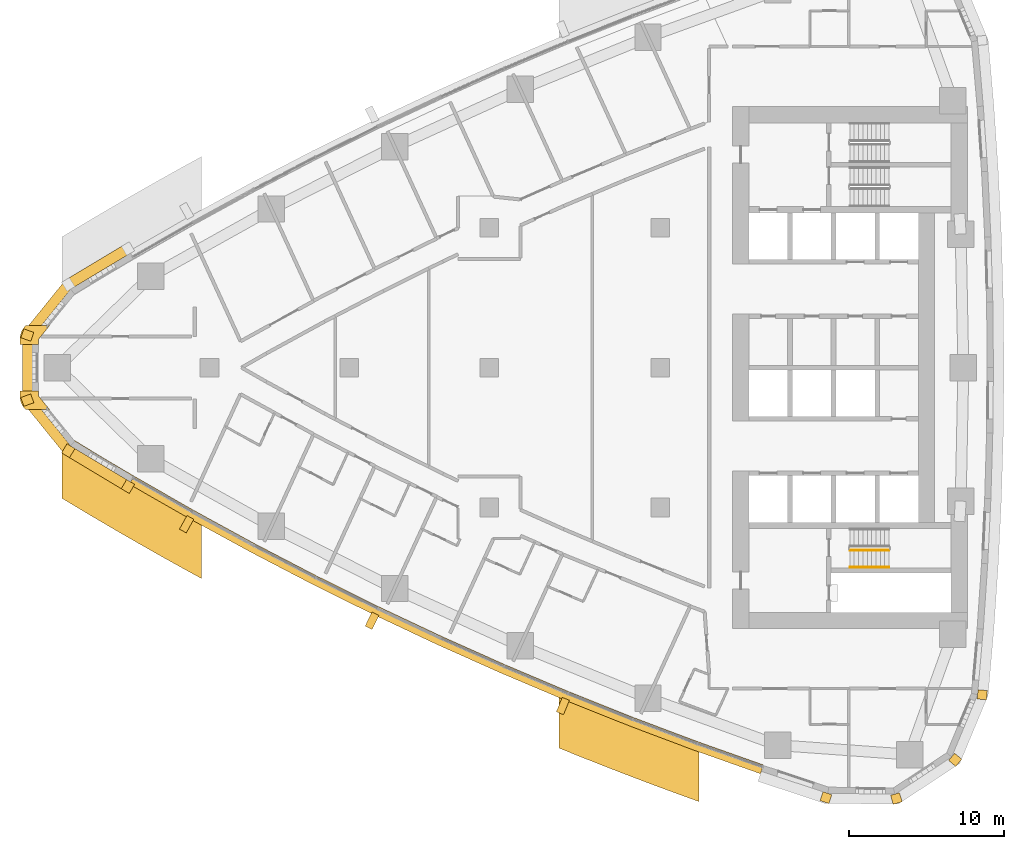
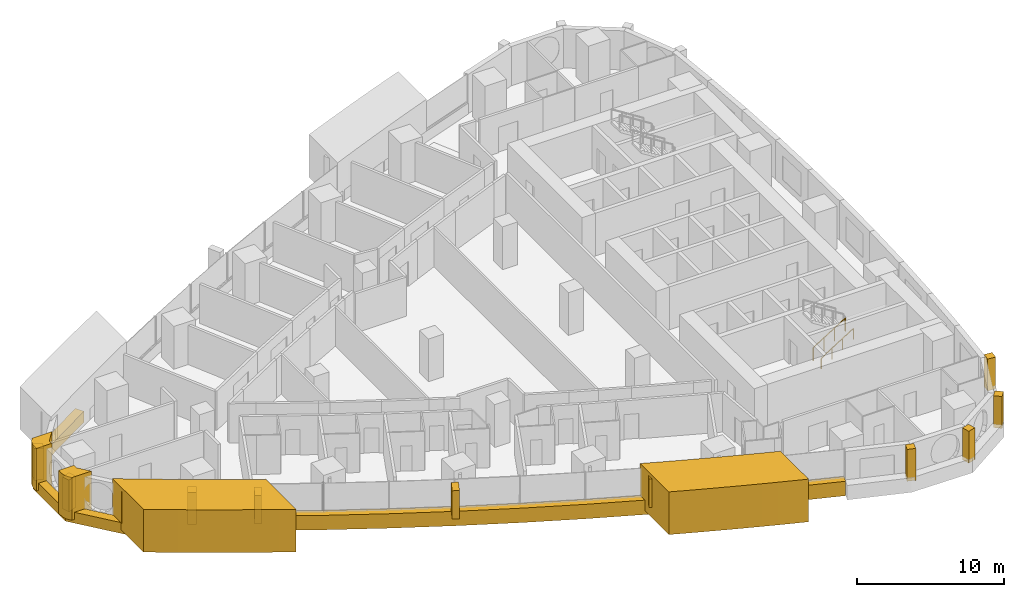
# One storey, part 14 of 17: 17 coverings, 2 railings.
"""IFC4 building model written with IfcOpenShell, lengths in metres."""

from ifc_helpers import new_model, si_unit, direction, frame, frame_2d, origin, origin_2d, place, context, subcontext, project, spatial, polyline, rectangle, circle, outline, extrude, material, layer, layer_set, type_object, element, save


model = new_model("IFC4")

# Units and contexts
model_context = context("Model", 3, precision=1e-05, world=origin(), true_north=direction((0.0, 1.0)))
body_context = subcontext(model_context, "Body", "Model", "MODEL_VIEW")
ifc_project = project(units=[si_unit("LENGTHUNIT", "METRE"), si_unit("AREAUNIT", "SQUARE_METRE"), si_unit("VOLUMEUNIT", "CUBIC_METRE"), si_unit("PLANEANGLEUNIT", "RADIAN"), si_unit("MASSUNIT", "GRAM", prefix="KILO")], contexts=[model_context])

# Site, building, storey
site_placement = place(None, origin())
site = spatial("IfcSite", under=ifc_project, at=site_placement, CompositionType="ELEMENT")
building_placement = place(site_placement, origin())
building = spatial("IfcBuilding", under=site, at=building_placement, Name="Ostrand Prow Hotel Tower", CompositionType="ELEMENT")
storey_placement = place(building_placement, frame((0.0, 0.0, 88.449951171875)))
storey = spatial("IfcBuildingStorey", under=building, at=storey_placement, Name="L20", CompositionType="ELEMENT", Elevation=88.449951171875)

# Coverings
ifc_material_1 = material(Name="Bronze anodised aluminium cladding", Category="aluminium")
ifc_layer_1 = layer(ifc_material_1, 0.60009765625)
ifc_layer_set_1 = layer_set([ifc_layer_1], Name="Bronze anodised aluminium cladding")
covering_type_1 = type_object("IfcCoveringType", Name="Bronze prow band 899x600", PredefinedType="CLADDING", material=ifc_layer_set_1)
covering_1_placement = place(storey_placement, frame((0.0, 0.0, -0.300048828125)))
element("IfcCovering", 1, at=covering_1_placement, inside=storey, type_object=covering_type_1, Name="Bronze prow band", PredefinedType="CLADDING", context=body_context, shape_type="SweptSolid", body=[
    extrude(outline(polyline([(10.580810546875, 7.9453125), (6.734130859375, 5.637939453125), (3.957763671875, 2.206787109375), (3.957763671875, -2.206787109375), (6.734130859375, -5.637939453125), (10.580810546875, -7.9453125), (10.9248046875, -7.358642578125), (7.089599609375, -5.058349609375), (4.598876953125, -1.97998046875), (4.598876953125, 1.97998046875), (7.089599609375, 5.058349609375), (10.9248046875, 7.358642578125), (10.580810546875, 7.9453125)])), origin(), (0.0, 0.0, 1.0), 0.900146484375),
])
ifc_material_2 = material(Name="Bronze anodised aluminium cladding", Category="aluminium")
ifc_layer_2 = layer(ifc_material_2, 0.60009765625)
ifc_layer_set_2 = layer_set([ifc_layer_2], Name="Bronze anodised aluminium cladding")
covering_type_2 = type_object("IfcCoveringType", Name="Bronze spandrel band 1200x600", PredefinedType="CLADDING", material=ifc_layer_set_2)
covering_2_placement = place(storey_placement, frame((0.0, 0.0, -0.300048828125)))
element("IfcCovering", 2, at=covering_2_placement, inside=storey, type_object=covering_type_2, Name="Spandrel band S1", PredefinedType="CLADDING", context=body_context, shape_type="SweptSolid", body=[
    extrude(outline(polyline([(10.841064453125, -7.50146484375), (14.72412109375, -9.726318359375), (18.651123046875, -11.872802734375), (22.620361328125, -13.940185546875), (26.6298828125, -15.927734375), (30.6787109375, -17.834716796875), (34.764892578125, -19.659912109375), (38.88671875, -21.4033203125), (43.042724609375, -23.0634765625), (47.231201171875, -24.64013671875), (51.4501953125, -26.1328125), (51.644775390625, -25.56494140625), (47.43701171875, -24.076416015625), (43.259765625, -22.504150390625), (39.114990234375, -20.848388671875), (35.004150390625, -19.10986328125), (30.928955078125, -17.289306640625), (26.89111328125, -15.3876953125), (22.89208984375, -13.4052734375), (18.93359375, -11.343505859375), (15.01708984375, -9.20263671875), (11.144287109375, -6.98388671875), (10.841064453125, -7.50146484375)])), origin(), (0.0, 0.0, 1.0), 1.2001953125),
])
ifc_material_3 = material(Name="Limestone cladding", Category="masonry")
ifc_layer_3 = layer(ifc_material_3, 5.0)
ifc_layer_set_3 = layer_set([ifc_layer_3], Name="Limestone cladding")
covering_type_3 = type_object("IfcCoveringType", Name="Portal jamb pilaster limestone", PredefinedType="CLADDING", material=ifc_layer_set_3)
covering_3_placement = place(storey_placement, origin())
element("IfcCovering", 3, at=covering_3_placement, inside=storey, type_object=covering_type_3, Name="Portal jamb SA L20", PredefinedType="CLADDING", context=body_context, shape_type="SweptSolid", body=[
    extrude(outline(polyline([(6.5, -4.184326171875), (6.5, -8.40625), (7.5, -9.0087890625), (8.5, -9.604248046875), (9.5, -10.19287109375), (10.5, -10.7744140625), (11.5, -11.349365234375), (12.5, -11.91748046875), (13.5, -12.478759765625), (14.5, -13.03369140625), (15.5, -13.581787109375), (15.5, -9.47216796875), (14.5, -8.912353515625), (13.5, -8.345703125), (12.5, -7.772216796875), (11.5, -7.19189453125), (10.5, -6.6044921875), (9.5, -6.01025390625), (8.5, -5.40869140625), (7.5, -4.80029296875), (6.5, -4.184326171875)])), origin(), (0.0, 0.0, 1.0), 3.550048828125),
])
covering_4_placement = place(storey_placement, origin())
element("IfcCovering", 4, at=covering_4_placement, inside=storey, type_object=covering_type_3, Name="Portal jamb SB L20", PredefinedType="CLADDING", context=body_context, shape_type="SweptSolid", body=[
    extrude(outline(polyline([(38.5, -20.59423828125), (38.5, -24.486083984375), (39.5, -24.890380859375), (40.5, -25.2890625), (41.5, -25.68212890625), (42.5, -26.06982421875), (43.5, -26.4521484375), (44.5, -26.8291015625), (45.5, -27.200439453125), (46.5, -27.566650390625), (47.5, -27.927490234375), (47.5, -24.099609375), (46.5, -23.732177734375), (45.5, -23.359130859375), (44.5, -22.98095703125), (43.5, -22.59716796875), (42.5, -22.207763671875), (41.5, -21.812744140625), (40.5, -21.412353515625), (39.5, -21.006103515625), (38.5, -20.59423828125)])), origin(), (0.0, 0.0, 1.0), 3.550048828125),
])
ifc_material_4 = material(Name="Limestone cladding", Category="masonry")
ifc_layer_4 = layer(ifc_material_4, 0.5)
ifc_layer_set_4 = layer_set([ifc_layer_4], Name="Limestone cladding")
covering_type_4 = type_object("IfcCoveringType", Name="Precast stone fin 500x900", PredefinedType="CLADDING", material=ifc_layer_set_4)
for number, where, z_axis, x_axis, name in (
    (5, (14.77294921875, -9.638916015625, 0.900146484375), (0.0, 0.0, 1.0), (-0.48823165008, -0.872714074517, 0.0), "Stone fin S 2"),
    (6, (26.673583984375, -15.837646484375, 0.900146484375), (0.0, 0.0, 1.0), (-0.435261006131, -0.900304313298, 0.0), "Stone fin S 5"),
    (7, (38.9248046875, -21.310791015625, 0.900146484375), (0.0, 0.0, 1.0), (-0.380172536546, -0.924915586665, 0.0), "Stone fin S 8"),
):
    element("IfcCovering", number, at=place(storey_placement, frame(where, z_axis=z_axis, x_axis=x_axis)), inside=storey, type_object=covering_type_4, Name=name, PredefinedType="CLADDING", context=body_context, shape_type="SweptSolid", body=[
        extrude(rectangle(XDim=1.0, YDim=0.5, at=frame_2d((0.5, 0.0))), origin(), (0.0, 0.0, 1.0), 2.349853515625),
    ])
ifc_material_5 = material(Name="Limestone cladding", Category="masonry")
ifc_layer_5 = layer(ifc_material_5, 0.60009765625)
ifc_layer_set_5 = layer_set([ifc_layer_5], Name="Limestone cladding")
covering_type_5 = type_object("IfcCoveringType", Name="Precast stone prow rib 600x600", PredefinedType="CLADDING", material=ifc_layer_set_5)
for number, where, z_axis, x_axis, name in (
    (8, (4.598876953125, 1.97998046875, 0.60009765625), (0.0, 0.0, 1.0), (-0.942744850171, 0.333514838465, 0.0), "Stone prow rib 3"),
    (9, (4.598876953125, -1.97998046875, 0.60009765625), (0.0, 0.0, 1.0), (-0.942744850171, -0.333514838465, 0.0), "Stone prow rib 4"),
    (10, (7.089599609375, -5.058349609375, 0.60009765625), (0.0, 0.0, 1.0), (-0.522814637618, -0.852446394029, 0.0), "Stone prow rib 5"),
):
    element("IfcCovering", number, at=place(storey_placement, frame(where, z_axis=z_axis, x_axis=x_axis)), inside=storey, type_object=covering_type_5, Name=name, PredefinedType="CLADDING", context=body_context, shape_type="SweptSolid", body=[
        extrude(rectangle(XDim=0.679931640625, YDim=0.60009765625, at=frame_2d((0.33984375, 0.0))), origin(), (0.0, 0.0, 1.0), 2.64990234375),
    ])
covering_5_placement = place(storey_placement, frame((10.9248046875, -7.358642578125, 0.60009765625), z_axis=(0.0, 0.0, 1.0), x_axis=(-0.505811626043, -0.862643958397, 0.0)))
element("IfcCovering", 11, at=covering_5_placement, inside=storey, type_object=covering_type_5, Name="Stone prow rib 6", PredefinedType="CLADDING", context=body_context, shape_type="SweptSolid", body=[
    extrude(rectangle(XDim=0.68017578125, YDim=0.60009765625, at=frame_2d((0.340087890625, 0.0))), origin(), (0.0, 0.0, 1.0), 2.64990234375),
])
covering_6_placement = place(storey_placement, frame((55.7490234375, -27.3828125, 0.60009765625), z_axis=(0.0, 0.0, 1.0), x_axis=(-0.305218682065, -0.952282288042, 0.0)))
element("IfcCovering", 12, at=covering_6_placement, inside=storey, type_object=covering_type_5, Name="Stone corner rib 2a", PredefinedType="CLADDING", context=body_context, shape_type="SweptSolid", body=[
    extrude(rectangle(XDim=0.599853515625, YDim=0.60009765625, at=frame_2d((0.2998046875, 0.0))), origin(), (0.0, 0.0, 1.0), 2.64990234375),
])
covering_7_placement = place(storey_placement, frame((60.104736328125, -27.437744140625, 0.60009765625), z_axis=(0.0, 0.0, 1.0), x_axis=(0.280734221166, -0.959785547436, 0.0)))
element("IfcCovering", 13, at=covering_7_placement, inside=storey, type_object=covering_type_5, Name="Stone corner rib 3a", PredefinedType="CLADDING", context=body_context, shape_type="SweptSolid", body=[
    extrude(rectangle(XDim=0.60009765625, YDim=0.60009765625, at=frame_2d((0.300048828125, 0.0))), origin(), (0.0, 0.0, 1.0), 2.64990234375),
])
for number, where, z_axis, x_axis, name in (
    (14, (63.74365234375, -25.043212890625, 0.60009765625), (0.0, 0.0, 1.0), (0.770318500913, -0.637659319034, 0.0), "Stone corner rib 4a"),
    (15, (65.41650390625, -21.02099609375, 0.60009765625), (0.0, 0.0, 1.0), (0.99529571972, -0.096883591531, 0.0), "Stone corner rib 4b"),
):
    element("IfcCovering", number, at=place(storey_placement, frame(where, z_axis=z_axis, x_axis=x_axis)), inside=storey, type_object=covering_type_5, Name=name, PredefinedType="CLADDING", context=body_context, shape_type="SweptSolid", body=[
        extrude(rectangle(XDim=0.599853515625, YDim=0.60009765625, at=frame_2d((0.2998046875, 0.0))), origin(), (0.0, 0.0, 1.0), 2.64990234375),
    ])
ifc_material_6 = material(Name="Limestone cladding", Category="masonry")
ifc_layer_6 = layer(ifc_material_6, 3.0)
ifc_layer_set_6 = layer_set([ifc_layer_6], Name="Limestone cladding")
covering_type_6 = type_object("IfcCoveringType", Name="Prow nose pier limestone", PredefinedType="CLADDING", material=ifc_layer_set_6)
covering_8_placement = place(storey_placement, origin())
element("IfcCovering", 16, at=covering_8_placement, inside=storey, type_object=covering_type_6, Name="Prow spine fin N L20", PredefinedType="CLADDING", context=body_context, shape_type="SweptSolid", body=[
    extrude(outline(polyline([(3.808349609375, 1.8349609375), (3.808349609375, 1.5), (5.00830078125, 1.5), (5.00830078125, 1.8349609375), (5.708251953125, 2.699951171875), (4.16455078125, 2.699951171875), (4.075439453125, 2.58984375), (4.006591796875, 2.495849609375), (3.947265625, 2.3955078125), (3.897705078125, 2.289794921875), (3.85888671875, 2.179931640625), (3.830810546875, 2.06689453125), (3.81396484375, 1.951416015625), (3.808349609375, 1.8349609375)])), origin(), (0.0, 0.0, 1.0), 3.550048828125),
])
covering_9_placement = place(storey_placement, origin())
element("IfcCovering", 17, at=covering_9_placement, inside=storey, type_object=covering_type_6, Name="Prow spine fin S L20", PredefinedType="CLADDING", context=body_context, shape_type="SweptSolid", body=[
    extrude(outline(polyline([(4.075439453125, -2.58984375), (4.16455078125, -2.699951171875), (5.708251953125, -2.699951171875), (5.00830078125, -1.8349609375), (5.00830078125, -1.5), (3.808349609375, -1.5), (3.808349609375, -1.8349609375), (3.81396484375, -1.951416015625), (3.830810546875, -2.06689453125), (3.85888671875, -2.179931640625), (3.897705078125, -2.289794921875), (3.947265625, -2.3955078125), (4.006591796875, -2.495849609375), (4.075439453125, -2.58984375)])), origin(), (0.0, 0.0, 1.0), 3.550048828125),
])

# Railings
ifc_material_7 = material(Name="Painted steel", Category="steel")
railing_type_1 = type_object("IfcRailingType", Name="Stair guard 1100", PredefinedType="GUARDRAIL", material=ifc_material_7)
railing_1_placement = place(storey_placement, frame((57.199951171875, -11.75, 0.177490234375)))
element("IfcRailing", 18, at=railing_1_placement, inside=storey, type_object=railing_type_1, Name="L20 ST2C stair guard 1", PredefinedType="GUARDRAIL", context=body_context, shape_type="SweptSolid", body=[
    extrude(circle(Radius=0.02392578125, at=origin_2d()), frame((0.0, 0.0, 1.076171875), z_axis=(0.84456994832, 0.0, 0.535445237532), x_axis=(0.0, 1.0, 0.0)), (0.0, 0.0, 1.0), 2.98388671875),
    extrude(circle(Radius=0.02099609375, at=origin_2d()), origin(), (0.0, 0.0, 1.0), 1.052001953125),
    extrude(circle(Radius=0.02099609375, at=origin_2d()), frame((0.840087890625, 0.0, 0.532470703125)), (0.0, 0.0, 1.0), 1.052001953125),
    extrude(circle(Radius=0.02099609375, at=origin_2d()), frame((1.679931640625, 0.0, 1.065185546875)), (0.0, 0.0, 1.0), 1.052001953125),
    extrude(circle(Radius=0.02099609375, at=origin_2d()), frame((2.52001953125, 0.0, 1.59765625)), (0.0, 0.0, 1.0), 1.052001953125),
])
ifc_material_8 = material(Name="Stainless steel", Category="steel")
railing_type_2 = type_object("IfcRailingType", Name="Stair handrail 900", PredefinedType="HANDRAIL", material=ifc_material_8)
railing_2_placement = place(storey_placement, frame((57.199951171875, -12.85009765625, 0.177490234375)))
element("IfcRailing", 19, at=railing_2_placement, inside=storey, type_object=railing_type_2, Name="L20 ST2C stair handrail 1", PredefinedType="HANDRAIL", context=body_context, shape_type="SweptSolid", body=[
    extrude(circle(Radius=0.02392578125, at=origin_2d()), frame((0.0, 0.0, 0.8759765625), z_axis=(0.84456994832, 0.0, 0.535445237532), x_axis=(0.0, 1.0, 0.0)), (0.0, 0.0, 1.0), 2.98388671875),
    extrude(circle(Radius=0.02099609375, at=origin_2d()), origin(), (0.0, 0.0, 1.0), 0.851806640625),
    extrude(circle(Radius=0.02099609375, at=origin_2d()), frame((0.840087890625, 0.0, 0.532470703125)), (0.0, 0.0, 1.0), 0.851806640625),
    extrude(circle(Radius=0.02099609375, at=origin_2d()), frame((1.679931640625, 0.0, 1.065185546875)), (0.0, 0.0, 1.0), 0.851806640625),
    extrude(circle(Radius=0.02099609375, at=origin_2d()), frame((2.52001953125, 0.0, 1.59765625)), (0.0, 0.0, 1.0), 0.851806640625),
])

save(model, "model.ifc")
